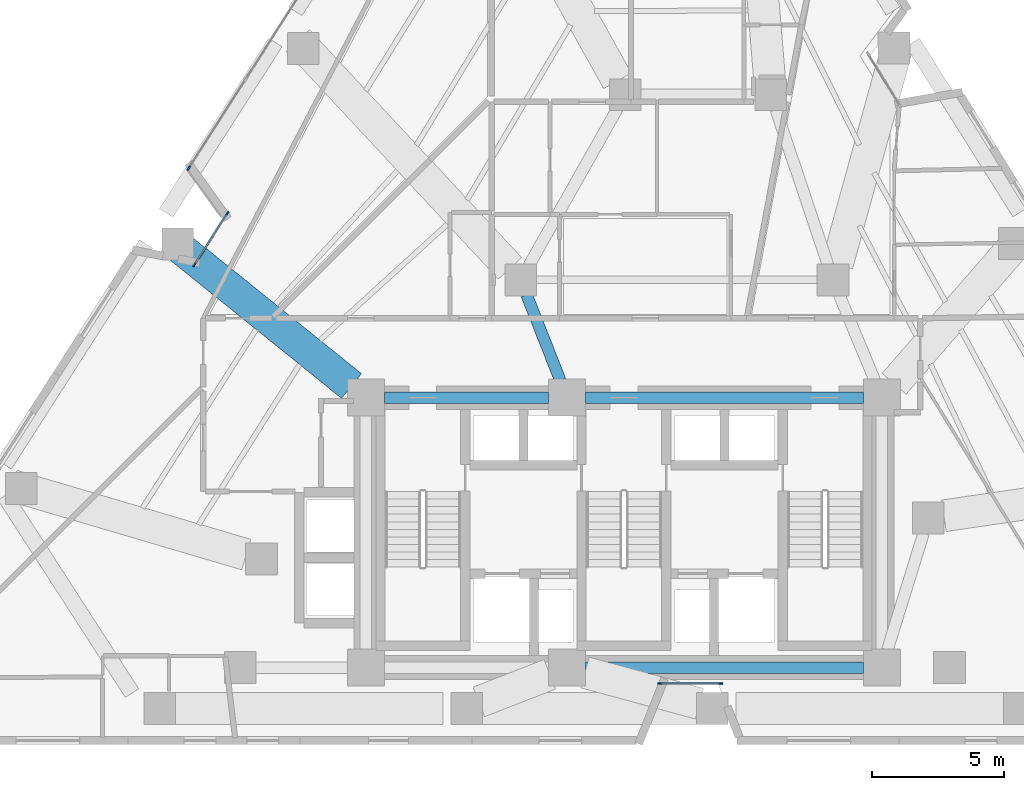
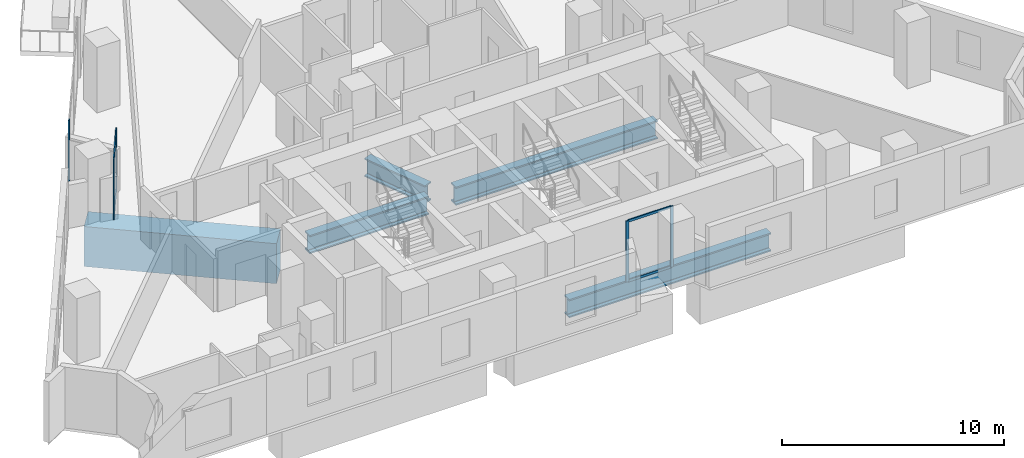
# One storey, part 2 of 13: 9 members, 5 beams, 3 elements without a shape of their own.
"""IFC4 building model written with IfcOpenShell, lengths in metres."""

import ifcopenshell
import ifcopenshell.guid

model = None  # the IFC model being written
_history = None  # IfcOwnerHistory: only IFC2X3 demands one
_inside = {}  # id of a spatial element -> (the spatial element, [elements in it])
_under = {}  # id of a project, library or spatial element -> (it, [spatial elements below it])
_declared = {}  # id of a project -> (the project, [libraries it declares])
_typed = {}  # id of a type object -> (the type object, [elements of that type])
_made_of = {}  # id of a material, layer set ... -> (it, [elements and type objects made of it])


def new_model(schema):
    """Start an empty IFC model of exactly this schema.

    Asked for "IFC4X3", IfcOpenShell would pick the latest addendum, in which some entities
    have other attributes; the version numbers below select the first issue.
    IFC2X3 requires an IfcOwnerHistory on every rooted entity: one is made here for all.
    """
    global model, _history
    if schema == "IFC4X3":
        model = ifcopenshell.file(schema_version=(4, 3, 0, 0))
    else:
        model = ifcopenshell.file(schema=schema)
    _inside.clear()
    _under.clear()
    _declared.clear()
    _typed.clear()
    _made_of.clear()
    _history = None
    if model.schema == "IFC2X3":
        org = make("IfcOrganization", Name="unknown")
        user = make(
            "IfcPersonAndOrganization",
            ThePerson=make("IfcPerson", FamilyName="unknown"),
            TheOrganization=org,
        )
        app = make(
            "IfcApplication",
            ApplicationDeveloper=org,
            Version="unknown",
            ApplicationFullName="unknown",
            ApplicationIdentifier="unknown",
        )
        _history = make(
            "IfcOwnerHistory",
            OwningUser=user,
            OwningApplication=app,
            ChangeAction="ADDED",
            CreationDate=0,
        )
    return model


def make(cls, **values):
    """One entity of the class cls with the attributes given. An attribute that is None is left unset."""
    return model.create_entity(
        cls, **{name: value for name, value in values.items() if value is not None}
    )


def rooted(cls, **values):
    """An entity with a GlobalId (a new one), such as an element, a storey or a relation."""
    return make(cls, GlobalId=ifcopenshell.guid.new(), OwnerHistory=_history, **values)


def si_unit(unit_type, name, prefix=None):
    """IfcSIUnit, for example si_unit("LENGTHUNIT", "METRE", prefix="MILLI")."""
    return make("IfcSIUnit", UnitType=unit_type, Prefix=prefix, Name=name)


def assignment(units):
    """IfcUnitAssignment: the units of a project."""
    return None if units is None else make("IfcUnitAssignment", Units=units)


def point(xyz):
    """IfcCartesianPoint."""
    return None if xyz is None else make("IfcCartesianPoint", Coordinates=xyz)


def direction(xyz):
    """IfcDirection."""
    return None if xyz is None else make("IfcDirection", DirectionRatios=xyz)


def frame(location, z_axis=None, x_axis=None):
    """IfcAxis2Placement3D, a coordinate frame: its origin and axes. An axis left out is left unset."""
    return make(
        "IfcAxis2Placement3D",
        Location=point(location),
        Axis=direction(z_axis),
        RefDirection=direction(x_axis),
    )


def frame_2d(location, x_axis=None):
    """IfcAxis2Placement2D, a coordinate frame in the plane: its origin and x axis."""
    return make(
        "IfcAxis2Placement2D", Location=point(location), RefDirection=direction(x_axis)
    )


def origin():
    """The frame at (0, 0, 0) with its axes left unset."""
    return frame((0.0, 0.0, 0.0))


def origin_2d():
    """The frame at (0, 0) in the plane with its x axis left unset."""
    return frame_2d((0.0, 0.0))


def place(relative_to, where):
    """IfcLocalPlacement: puts the frame where relative to a parent placement (None: the world)."""
    return make(
        "IfcLocalPlacement", PlacementRelTo=relative_to, RelativePlacement=where
    )


def context(
    kind, dimensions, precision=None, world=None, true_north=None, identifier=None
):
    """IfcGeometricRepresentationContext, for example the 3D "Model" context."""
    return make(
        "IfcGeometricRepresentationContext",
        ContextIdentifier=identifier,
        ContextType=kind,
        CoordinateSpaceDimension=dimensions,
        Precision=precision,
        WorldCoordinateSystem=world,
        TrueNorth=true_north,
    )


def subcontext(parent, identifier, kind, view, scale=None):
    """IfcGeometricRepresentationSubContext, for example "Body" below "Model"."""
    return make(
        "IfcGeometricRepresentationSubContext",
        ContextIdentifier=identifier,
        ContextType=kind,
        ParentContext=parent,
        TargetScale=scale,
        TargetView=view,
    )


def project(units=None, contexts=None):
    """IfcProject with its units and contexts."""
    return rooted(
        "IfcProject",
        Name="project",
        RepresentationContexts=contexts,
        UnitsInContext=assignment(units),
    )


def spatial(cls, under=None, at=None, **own):
    """A site, building, storey or space (cls), placed at a placement, below another one or the project."""
    s = rooted(cls, ObjectPlacement=at, **own)
    if under is not None:
        _under.setdefault(under.id(), (under, []))[1].append(s)
    return s


def profile(cls, at=None, kind="AREA", **sizes):
    """A parametric profile (cls). Its sizes go by their IFC names, for example OverallWidth=200.0."""
    return make(cls, ProfileType=kind, Position=at, **sizes)


def rectangle(**sizes):
    """IfcRectangleProfileDef."""
    return profile("IfcRectangleProfileDef", **sizes)


def i_section(**sizes):
    """IfcIShapeProfileDef."""
    return profile("IfcIShapeProfileDef", **sizes)


def extrude(swept, where, along, depth):
    """IfcExtrudedAreaSolid: the profile swept, set in the frame where, extruded along a direction by depth."""
    return make(
        "IfcExtrudedAreaSolid",
        SweptArea=swept,
        Position=where,
        ExtrudedDirection=direction(along),
        Depth=depth,
    )


def shape(context_of_items, identifier, shape_type, items):
    """IfcShapeRepresentation: the items that make up one representation, for example the "Body"."""
    return make(
        "IfcShapeRepresentation",
        ContextOfItems=context_of_items,
        RepresentationIdentifier=identifier,
        RepresentationType=shape_type,
        Items=items,
    )


def material(Name=None, Category=None):
    """IfcMaterial."""
    return make("IfcMaterial", Name=Name, Category=Category)


def layer(
    of_material, thickness, ventilated=None, Name=None, Category=None, Priority=None
):
    """IfcMaterialLayer: one layer of a wall or slab, of a material (None: an air gap)."""
    return make(
        "IfcMaterialLayer",
        Material=of_material,
        LayerThickness=thickness,
        IsVentilated=ventilated,
        Name=Name,
        Category=Category,
        Priority=Priority,
    )


def layer_set(layers, Name=None):
    """IfcMaterialLayerSet."""
    return make("IfcMaterialLayerSet", MaterialLayers=layers, LayerSetName=Name)


def material_profile(
    of_material, cross_section, Name=None, Category=None, Priority=None
):
    """IfcMaterialProfile: a cross section and its material."""
    return make(
        "IfcMaterialProfile",
        Name=Name,
        Material=of_material,
        Profile=cross_section,
        Priority=Priority,
        Category=Category,
    )


def profile_set(profiles, Name=None, composite=None):
    """IfcMaterialProfileSet."""
    return make(
        "IfcMaterialProfileSet",
        Name=Name,
        MaterialProfiles=profiles,
        CompositeProfile=composite,
    )


def made_of(thing, what):
    """Note that an element or type object is made of a material, layer set ...; save() writes the relation."""
    if what is not None:
        _made_of.setdefault(what.id(), (what, []))[1].append(thing)
    return thing


def type_object(cls, material=None, **own):
    """A type object (cls), such as IfcWallType, which elements share."""
    return made_of(rooted(cls, **own), material)


def element(
    cls,
    number,
    at=None,
    inside=None,
    cuts=None,
    type_object=None,
    material=None,
    context=None,
    identifier="Body",
    shape_type=None,
    held_by="IfcProductDefinitionShape",
    body=None,
    shapes=None,
    **own,
):
    """One element of the class cls, such as IfcWall. Its Tag is "e" and its number.

    at: its placement. inside: the storey or other place that contains it. cuts: it is an
    opening in that element (IfcRelVoidsElement). A single representation is given by context,
    identifier, shape_type and body (its items); several are given by shapes. held_by: the class
    of the entity that holds the representations. save() writes the other relations.
    """
    e = rooted(cls, Tag="e%d" % number, ObjectPlacement=at, **own)
    if body is not None:
        shapes = [shape(context, identifier, shape_type, body)]
    if shapes is not None:
        e.Representation = make(held_by, Representations=shapes)
    if inside is not None:
        _inside.setdefault(inside.id(), (inside, []))[1].append(e)
    if cuts is not None:
        rooted(
            "IfcRelVoidsElement", RelatingBuildingElement=cuts, RelatedOpeningElement=e
        )
    if type_object is not None:
        _typed.setdefault(type_object.id(), (type_object, []))[1].append(e)
    return made_of(e, material)


def aggregate(whole, parts):
    """IfcRelAggregates: a whole, such as a stair, and the parts it consists of."""
    return rooted("IfcRelAggregates", RelatingObject=whole, RelatedObjects=parts)


def save(model, path):
    """Write the relations noted so far, then the file.

    IfcRelAggregates (storeys below a building ...), IfcRelContainedInSpatialStructure (elements
    in a storey), IfcRelDefinesByType, IfcRelAssociatesMaterial and IfcRelDeclares: one each for
    every whole, place, type object, material and project.
    """
    for whole, parts in _under.values():
        aggregate(whole, parts)
    for where, things in _inside.values():
        rooted(
            "IfcRelContainedInSpatialStructure",
            RelatedElements=things,
            RelatingStructure=where,
        )
    for kind, things in _typed.values():
        rooted("IfcRelDefinesByType", RelatedObjects=things, RelatingType=kind)
    for what, things in _made_of.values():
        rooted("IfcRelAssociatesMaterial", RelatedObjects=things, RelatingMaterial=what)
    for by, libraries in _declared.values():
        rooted("IfcRelDeclares", RelatingContext=by, RelatedDefinitions=libraries)
    model.write(path)


model = new_model("IFC4")

# Units and contexts
model_context = context("Model", 3, precision=1e-05, world=origin(), true_north=direction((0.0, 1.0)))
body_context = subcontext(model_context, "Body", "Model", "MODEL_VIEW")
ifc_project = project(units=[si_unit("LENGTHUNIT", "METRE"), si_unit("AREAUNIT", "SQUARE_METRE"), si_unit("VOLUMEUNIT", "CUBIC_METRE"), si_unit("PLANEANGLEUNIT", "RADIAN"), si_unit("MASSUNIT", "GRAM", prefix="KILO")], contexts=[model_context])

# Site, building, storey
site_placement = place(None, origin())
site = spatial("IfcSite", under=ifc_project, at=site_placement, CompositionType="ELEMENT")
building_placement = place(site_placement, origin())
building = spatial("IfcBuilding", under=site, at=building_placement, Name="Almagre Mirador Tower", CompositionType="ELEMENT")
storey_placement = place(building_placement, frame((0.0, 0.0, 75.0)))
storey = spatial("IfcBuildingStorey", under=building, at=storey_placement, Name="L18", CompositionType="ELEMENT", Elevation=75.0)

# Beams
ifc_material_1 = material(Name="Steel ASTM A992 Grade 50", Category="steel")
ifc_material_profile_1 = material_profile(ifc_material_1, i_section(OverallWidth=0.43701171875, OverallDepth=1.010986328125, WebThickness=0.041015625, FlangeThickness=0.073974609375, FilletRadius=0.028076171875, at=origin_2d()), Name="W36X529")
ifc_profile_set_1 = profile_set([ifc_material_profile_1], Name="Steel ASTM A992 Grade 50")
beam_type_1 = type_object("IfcBeamType", Name="BM-STL-W36X529", PredefinedType="BEAM", material=ifc_profile_set_1)
beam_1_placement = place(storey_placement, frame((35.85009765625, 4.550048828125, -0.755615234375), z_axis=(1.0, 0.0, 0.0), x_axis=(0.0, 1.0, 0.0)))
element("IfcBeam", 1, at=beam_1_placement, inside=storey, type_object=beam_type_1, Name="L18 core tie girder CC2-CC3", PredefinedType="BEAM", context=body_context, shape_type="SweptSolid", body=[
    extrude(i_section(OverallWidth=0.43701171875, OverallDepth=1.010986328125, WebThickness=0.041015625, FlangeThickness=0.073974609375, FilletRadius=0.028076171875, at=origin_2d()), origin(), (0.0, 0.0, 1.0), 10.5),
])
beam_2_placement = place(storey_placement, frame((28.25, 14.75, -0.755615234375), z_axis=(1.0, 0.0, 0.0), x_axis=(0.0, 1.0, 0.0)))
element("IfcBeam", 2, at=beam_2_placement, inside=storey, type_object=beam_type_1, Name="L18 core tie girder CC4-CC5", PredefinedType="BEAM", context=body_context, shape_type="SweptSolid", body=[
    extrude(i_section(OverallWidth=0.43701171875, OverallDepth=1.010986328125, WebThickness=0.041015625, FlangeThickness=0.073974609375, FilletRadius=0.028076171875, at=origin_2d()), origin(), (0.0, 0.0, 1.0), 6.199951171875),
])
beam_3_placement = place(storey_placement, frame((35.85009765625, 14.75, -0.755615234375), z_axis=(1.0, 0.0, 0.0), x_axis=(0.0, 1.0, 0.0)))
element("IfcBeam", 3, at=beam_3_placement, inside=storey, type_object=beam_type_1, Name="L18 core tie girder CC5-CC6", PredefinedType="BEAM", context=body_context, shape_type="SweptSolid", body=[
    extrude(i_section(OverallWidth=0.43701171875, OverallDepth=1.010986328125, WebThickness=0.041015625, FlangeThickness=0.073974609375, FilletRadius=0.028076171875, at=origin_2d()), origin(), (0.0, 0.0, 1.0), 10.5),
])
beam_4_placement = place(storey_placement, frame((33.61962890625, 18.6416015625, -0.755615234375), z_axis=(0.365956076985, -0.93063212373, 0.0), x_axis=(0.93063212373, 0.365956076985, 0.0)))
element("IfcBeam", 4, at=beam_4_placement, inside=storey, type_object=beam_type_1, Name="L18 core tie girder MC8-CC5", PredefinedType="BEAM", context=body_context, shape_type="SweptSolid", body=[
    extrude(i_section(OverallWidth=0.43701171875, OverallDepth=1.010986328125, WebThickness=0.041015625, FlangeThickness=0.073974609375, FilletRadius=0.028076171875, at=origin_2d()), origin(), (0.0, 0.0, 1.0), 3.481689453125),
])
ifc_material_2 = material(Name="Concrete C60/75", Category="concrete")
ifc_material_profile_2 = material_profile(ifc_material_2, rectangle(XDim=1.199951171875, YDim=2.199951171875, at=origin_2d()), Name="RC1200X2200")
ifc_profile_set_2 = profile_set([ifc_material_profile_2], Name="Concrete C60/75")
beam_type_2 = type_object("IfcBeamType", Name="BM-XFER-RC1200X2200", PredefinedType="BEAM", material=ifc_profile_set_2)
beam_5_placement = place(storey_placement, frame((20.164794921875, 20.70556640625, -1.35009765625), z_axis=(0.778428805214, -0.627732901171, 0.0), x_axis=(0.627732901171, 0.778428805214, 0.0)))
element("IfcBeam", 5, at=beam_5_placement, inside=storey, type_object=beam_type_2, Name="L18 radial transfer girder PC11-CC4", PredefinedType="BEAM", context=body_context, shape_type="SweptSolid", body=[
    extrude(rectangle(XDim=1.199951171875, YDim=2.199951171875, at=origin_2d()), origin(), (0.0, 0.0, 1.0), 8.787353515625),
])

# Curtain wall, members
ifc_material_3 = material(Name="Black anodized aluminium", Category="aluminium")
ifc_layer_1 = layer(ifc_material_3, 0.169921875)
ifc_layer_set_1 = layer_set([ifc_layer_1], Name="Black anodized aluminium")
curtain_wall_type_1 = type_object("IfcCurtainWallType", Name="CW-CRS-SYS", PredefinedType="NOTDEFINED", material=ifc_layer_set_1)
curtain_wall_1_placement = place(storey_placement, origin())
curtain_wall_1 = element("IfcCurtainWall", 6, at=curtain_wall_1_placement, inside=storey, type_object=curtain_wall_type_1, Name="L18 vertical crease curtain wall 01", PredefinedType="NOTDEFINED")
ifc_material_4 = material(Name="Black anodized aluminium", Category="aluminium")
ifc_material_profile_3 = material_profile(ifc_material_4, rectangle(XDim=0.06005859375, YDim=0.14990234375, at=origin_2d()), Name="CWM60X150")
ifc_profile_set_3 = profile_set([ifc_material_profile_3], Name="Black anodized aluminium")
member_type_1 = type_object("IfcMemberType", Name="MBR-CWM60X150", PredefinedType="MULLION", material=ifc_profile_set_3)
member_1_placement = place(storey_placement, frame((21.067626953125, 19.7724609375, 0.0), z_axis=(0.0, 0.0, 1.0), x_axis=(-0.841947934991, 0.539558777859, 0.0)))
member_1 = element("IfcMember", 7, at=member_1_placement, type_object=member_type_1, Name="CW-4 mullion 1", PredefinedType="MULLION", context=body_context, shape_type="SweptSolid", body=[
    extrude(rectangle(XDim=0.06005859375, YDim=0.14990234375, at=origin_2d()), origin(), (0.0, 0.0, 1.0), 3.35009765625),
])
member_2_placement = place(storey_placement, frame((22.314208984375, 21.717529296875, 0.0), z_axis=(0.0, 0.0, 1.0), x_axis=(-0.841947934991, 0.539558777859, 0.0)))
member_2 = element("IfcMember", 8, at=member_2_placement, type_object=member_type_1, Name="CW-4 mullion 2", PredefinedType="MULLION", context=body_context, shape_type="SweptSolid", body=[
    extrude(rectangle(XDim=0.06005859375, YDim=0.14990234375, at=origin_2d()), origin(), (0.0, 0.0, 1.0), 3.35009765625),
])

curtain_wall_2_placement = place(storey_placement, origin())
curtain_wall_2 = element("IfcCurtainWall", 9, at=curtain_wall_2_placement, inside=storey, type_object=curtain_wall_type_1, Name="L18 vertical crease curtain wall 04", PredefinedType="NOTDEFINED")
member_3_placement = place(storey_placement, frame((40.962890625, 3.949951171875, 0.0), z_axis=(0.0, 0.0, 1.0), x_axis=(0.0, -1.0, 0.0)))
member_3 = element("IfcMember", 10, at=member_3_placement, type_object=member_type_1, Name="CW-4 mullion 1", PredefinedType="MULLION", context=body_context, shape_type="SweptSolid", body=[
    extrude(rectangle(XDim=0.06005859375, YDim=0.14990234375, at=origin_2d()), origin(), (0.0, 0.0, 1.0), 3.35009765625),
])
member_4_placement = place(storey_placement, frame((38.653076171875, 3.949951171875, 0.0), z_axis=(0.0, 0.0, 1.0), x_axis=(0.0, -1.0, 0.0)))
member_4 = element("IfcMember", 11, at=member_4_placement, type_object=member_type_1, Name="CW-4 mullion 2", PredefinedType="MULLION", context=body_context, shape_type="SweptSolid", body=[
    extrude(rectangle(XDim=0.06005859375, YDim=0.14990234375, at=origin_2d()), origin(), (0.0, 0.0, 1.0), 3.35009765625),
])

# Curtain wall, member
ifc_material_5 = material(Name="Black anodized aluminium", Category="aluminium")
ifc_layer_2 = layer(ifc_material_5, 0.18994140625)
ifc_layer_set_2 = layer_set([ifc_layer_2], Name="Black anodized aluminium")
curtain_wall_type_2 = type_object("IfcCurtainWallType", Name="CW-RES-L-SYS", PredefinedType="NOTDEFINED", material=ifc_layer_set_2)
curtain_wall_3_placement = place(storey_placement, origin())
curtain_wall_3 = element("IfcCurtainWall", 12, at=curtain_wall_3_placement, inside=storey, type_object=curtain_wall_type_2, Name="L18 curtain wall run 02", PredefinedType="NOTDEFINED")
ifc_material_6 = material(Name="Black anodized aluminium", Category="aluminium")
ifc_material_profile_4 = material_profile(ifc_material_6, rectangle(XDim=0.06494140625, YDim=0.179931640625, at=origin_2d()), Name="CWM65X180")
ifc_profile_set_4 = profile_set([ifc_material_profile_4], Name="Black anodized aluminium")
member_type_2 = type_object("IfcMemberType", Name="MBR-CWM65X180", PredefinedType="MULLION", material=ifc_profile_set_4)
member_5_placement = place(storey_placement, frame((20.84814453125, 23.41357421875, 0.0), z_axis=(0.0, 0.0, 1.0), x_axis=(-0.8420145831, 0.539454763486, 0.0)))
member_5 = element("IfcMember", 13, at=member_5_placement, type_object=member_type_2, Name="CW-2 mullion 1", PredefinedType="MULLION", context=body_context, shape_type="SweptSolid", body=[
    extrude(rectangle(XDim=0.06494140625, YDim=0.179931640625, at=origin_2d()), origin(), (0.0, 0.0, 1.0), 3.35009765625),
])
aggregate(curtain_wall_3, [member_5])

# Member
ifc_material_7 = material(Name="Black anodized aluminium", Category="aluminium")
ifc_material_profile_5 = material_profile(ifc_material_7, rectangle(XDim=0.06005859375, YDim=0.1298828125, at=origin_2d()), Name="CWT60X130")
ifc_profile_set_5 = profile_set([ifc_material_profile_5], Name="Black anodized aluminium")
member_type_3 = type_object("IfcMemberType", Name="MBR-CWT60X130", PredefinedType="USERDEFINED", material=ifc_profile_set_5)
member_6_placement = place(storey_placement, frame((21.083984375, 19.797607421875, 0.030029296875), z_axis=(0.539512321275, 0.841977704688, 0.0), x_axis=(-0.841977704688, 0.539512321275, 0.0)))
member_6 = element("IfcMember", 14, at=member_6_placement, type_object=member_type_3, Name="CW-4 transom 1.1", ObjectType="TRANSOM", PredefinedType="USERDEFINED", context=body_context, shape_type="SweptSolid", body=[
    extrude(rectangle(XDim=0.06005859375, YDim=0.1298828125, at=origin_2d()), origin(), (0.0, 0.0, 1.0), 2.25048828125),
])

member_7_placement = place(storey_placement, frame((21.083984375, 19.797607421875, 3.320068359375), z_axis=(0.539512321275, 0.841977704688, 0.0), x_axis=(-0.841977704688, 0.539512321275, 0.0)))
member_7 = element("IfcMember", 15, at=member_7_placement, type_object=member_type_3, Name="CW-4 transom 1.2", ObjectType="TRANSOM", PredefinedType="USERDEFINED", context=body_context, shape_type="SweptSolid", body=[
    extrude(rectangle(XDim=0.06005859375, YDim=0.1298828125, at=origin_2d()), origin(), (0.0, 0.0, 1.0), 2.25048828125),
])

aggregate(curtain_wall_1, [member_1, member_2, member_6, member_7])

member_8_placement = place(storey_placement, frame((40.93310546875, 3.949951171875, 0.030029296875), z_axis=(-1.0, 0.0, 0.0), x_axis=(0.0, -1.0, 0.0)))
member_8 = element("IfcMember", 16, at=member_8_placement, type_object=member_type_3, Name="CW-4 transom 1.1", ObjectType="TRANSOM", PredefinedType="USERDEFINED", context=body_context, shape_type="SweptSolid", body=[
    extrude(rectangle(XDim=0.06005859375, YDim=0.1298828125, at=origin_2d()), origin(), (0.0, 0.0, 1.0), 2.25),
])

member_9_placement = place(storey_placement, frame((40.93310546875, 3.949951171875, 3.320068359375), z_axis=(-1.0, 0.0, 0.0), x_axis=(0.0, -1.0, 0.0)))
member_9 = element("IfcMember", 17, at=member_9_placement, type_object=member_type_3, Name="CW-4 transom 1.2", ObjectType="TRANSOM", PredefinedType="USERDEFINED", context=body_context, shape_type="SweptSolid", body=[
    extrude(rectangle(XDim=0.06005859375, YDim=0.1298828125, at=origin_2d()), origin(), (0.0, 0.0, 1.0), 2.25),
])

aggregate(curtain_wall_2, [member_3, member_4, member_8, member_9])

save(model, "model.ifc")
